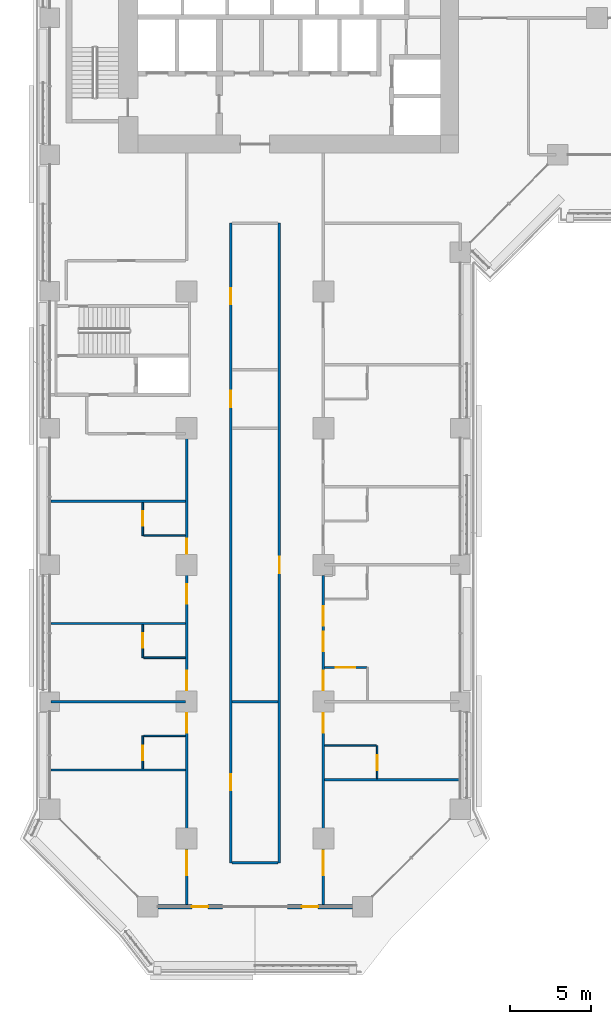
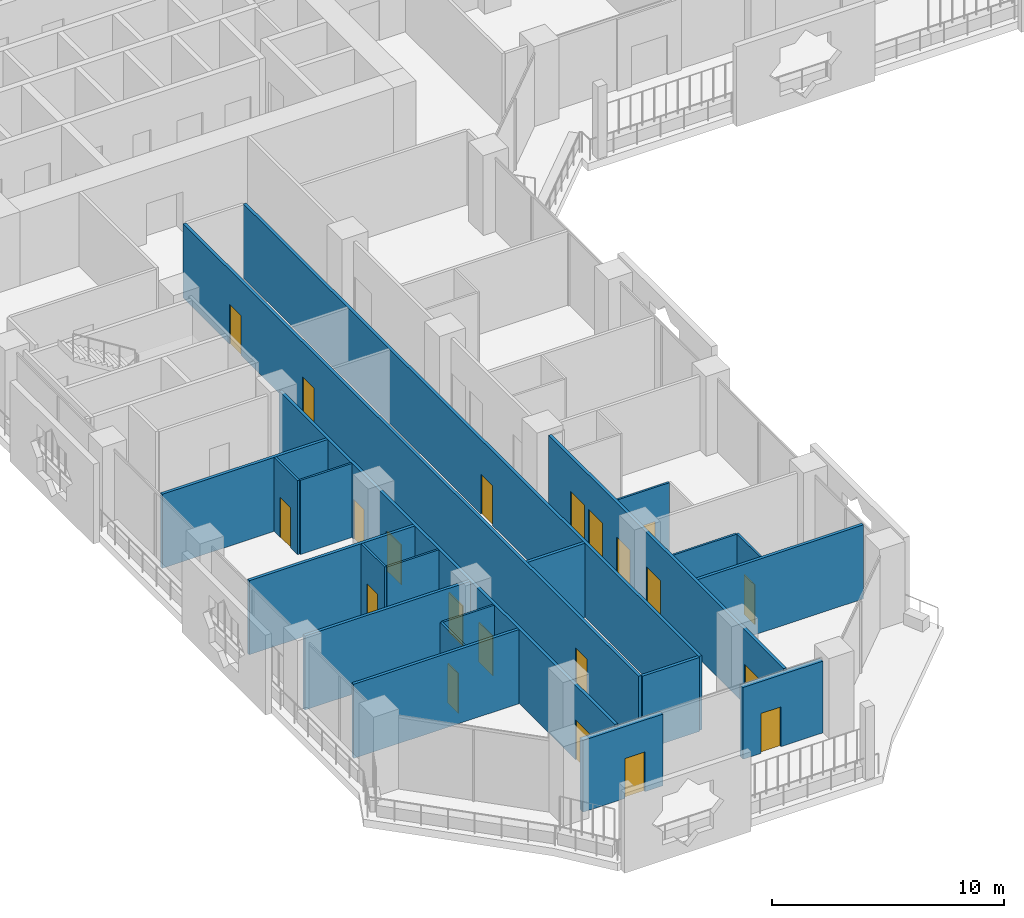
# One storey, part 13 of 28: 22 walls, 21 doors, 21 openings.
"""IFC4 building model written with IfcOpenShell, lengths in metres."""

from ifc_helpers import new_model, si_unit, direction, frame, frame_2d, origin, place, context, subcontext, project, spatial, rectangle, extrude, material, layer, layer_set, type_object, element, fill, save


model = new_model("IFC4")

# Units and contexts
model_context = context("Model", 3, precision=1e-05, world=origin(), true_north=direction((0.0, 1.0)))
body_context = subcontext(model_context, "Body", "Model", "MODEL_VIEW")
ifc_project = project(units=[si_unit("LENGTHUNIT", "METRE"), si_unit("AREAUNIT", "SQUARE_METRE"), si_unit("VOLUMEUNIT", "CUBIC_METRE"), si_unit("PLANEANGLEUNIT", "RADIAN"), si_unit("MASSUNIT", "GRAM", prefix="KILO")], contexts=[model_context])

# Site, building, storey
site_placement = place(None, origin())
site = spatial("IfcSite", under=ifc_project, at=site_placement, CompositionType="ELEMENT")
building_placement = place(site_placement, origin())
building = spatial("IfcBuilding", under=site, at=building_placement, Name="Kawkab Arch Medical Tower", CompositionType="ELEMENT")
storey_placement = place(building_placement, frame((0.0, 0.0, 68.60009765625)))
storey = spatial("IfcBuildingStorey", under=building, at=storey_placement, Name="L15", CompositionType="ELEMENT", Elevation=68.60009765625)

# Wall, opening, door
ifc_material_1 = material(Name="Bronze clad insulated wall panel")
ifc_layer_1 = layer(ifc_material_1, 0.25)
ifc_layer_set_1 = layer_set([ifc_layer_1], Name="Bronze clad insulated wall panel")
wall_type_1 = type_object("IfcWallType", Name="External wall bay 250", PredefinedType="SOLIDWALL", material=ifc_layer_set_1)
wall_1_placement = place(storey_placement, frame((6.625, -71.39990234375, 0.0), z_axis=(0.0, 0.0, 1.0), x_axis=(1.0, 0.0, 0.0)))
wall_1 = element("IfcWall", 1, at=wall_1_placement, inside=storey, type_object=wall_type_1, Name="External wall bay L15.R03.1.1", PredefinedType="SOLIDWALL", context=body_context, shape_type="SweptSolid", body=[
    extrude(rectangle(XDim=3.9833984375, YDim=0.25, at=frame_2d((1.99169921875, 0.0))), origin(), (0.0, 0.0, 1.0), 3.77978515625),
])
opening_1_placement = place(wall_1_placement, frame((2.091796875, 0.0, 0.0)))
opening_1 = element("IfcOpeningElement", 2, at=opening_1_placement, cuts=wall_1, Name="Opening W15A-701", PredefinedType="OPENING", context=body_context, shape_type="SweptSolid", body=[
    extrude(rectangle(XDim=1.0, YDim=2.10009765625, at=frame_2d((0.5, 1.050048828125))), frame((0.0, 0.135009765625, 0.0), z_axis=(0.0, -1.0, 0.0), x_axis=(1.0, 0.0, 0.0)), (0.0, 0.0, 1.0), 0.27001953125),
])
ifc_material_2 = material(Name="Bronze anodised aluminium door with tinted glass", Category="aluminium")
door_type_1 = type_object("IfcDoorType", Name="Single external door 1000 x 2100", OperationType="SINGLE_SWING_LEFT", PredefinedType="DOOR", material=ifc_material_2)
door_1_placement = place(opening_1_placement, origin())
door_1 = element("IfcDoor", 3, at=door_1_placement, inside=storey, type_object=door_type_1, Name="External door L15.R03.1.1", OperationType="SINGLE_SWING_LEFT", OverallHeight=2.10009765625, OverallWidth=1.0, PredefinedType="DOOR", context=body_context, shape_type="SweptSolid", body=[
    extrude(rectangle(XDim=1.0, YDim=2.10009765625, at=frame_2d((0.5, 1.050048828125))), frame((0.0, 0.02490234375, 0.0), z_axis=(0.0, -1.0, 0.0), x_axis=(1.0, 0.0, 0.0)), (0.0, 0.0, 1.0), 0.050048828125),
])
fill(opening_1, door_1)

wall_2_placement = place(storey_placement, frame((14.591552734375, -71.39990234375, 0.0), z_axis=(0.0, 0.0, 1.0), x_axis=(1.0, 0.0, 0.0)))
wall_2 = element("IfcWall", 4, at=wall_2_placement, inside=storey, type_object=wall_type_1, Name="External wall bay L15.R03.1.3", PredefinedType="SOLIDWALL", context=body_context, shape_type="SweptSolid", body=[
    extrude(rectangle(XDim=3.9833984375, YDim=0.25, at=frame_2d((1.99169921875, 0.0))), origin(), (0.0, 0.0, 1.0), 3.77978515625),
])
opening_2_placement = place(wall_2_placement, frame((0.8916015625, 0.0, 0.0)))
opening_2 = element("IfcOpeningElement", 5, at=opening_2_placement, cuts=wall_2, Name="Opening W15A-701", PredefinedType="OPENING", context=body_context, shape_type="SweptSolid", body=[
    extrude(rectangle(XDim=1.0, YDim=2.10009765625, at=frame_2d((0.5, 1.050048828125))), frame((0.0, 0.135009765625, 0.0), z_axis=(0.0, -1.0, 0.0), x_axis=(1.0, 0.0, 0.0)), (0.0, 0.0, 1.0), 0.27001953125),
])
door_2_placement = place(opening_2_placement, origin())
door_2 = element("IfcDoor", 6, at=door_2_placement, inside=storey, type_object=door_type_1, Name="External door L15.R03.1.3", OperationType="SINGLE_SWING_LEFT", OverallHeight=2.10009765625, OverallWidth=1.0, PredefinedType="DOOR", context=body_context, shape_type="SweptSolid", body=[
    extrude(rectangle(XDim=1.0, YDim=2.10009765625, at=frame_2d((0.5, 1.050048828125))), frame((0.0, 0.02490234375, 0.0), z_axis=(0.0, -1.0, 0.0), x_axis=(1.0, 0.0, 0.0)), (0.0, 0.0, 1.0), 0.050048828125),
])
fill(opening_2, door_2)

# Walls
ifc_material_3 = material(Name="Gypsum board partition on steel studs", Category="steel")
ifc_layer_2 = layer(ifc_material_3, 0.10009765625)
ifc_layer_set_2 = layer_set([ifc_layer_2], Name="Gypsum board partition on steel studs")
wall_type_2 = type_object("IfcWallType", Name="Partition 100", PredefinedType="PARTITIONING", material=ifc_layer_set_2)
wall_3_placement = place(storey_placement, frame((16.875, -61.5, 0.0), z_axis=(0.0, 0.0, 1.0), x_axis=(1.0, 0.0, 0.0)))
element("IfcWall", 7, at=wall_3_placement, inside=storey, type_object=wall_type_2, Name="Partition 100 w001", PredefinedType="PARTITIONING", context=body_context, shape_type="SweptSolid", body=[
    extrude(rectangle(XDim=3.175048828125, YDim=0.10009765625, at=frame_2d((1.58740234375, 0.0))), origin(), (0.0, 0.0, 1.0), 3.89990234375),
])
wall_4_placement = place(storey_placement, frame((5.75, -60.89990234375, 0.0), z_axis=(0.0, 0.0, 1.0), x_axis=(1.0, 0.0, 0.0)))
element("IfcWall", 8, at=wall_4_placement, inside=storey, type_object=wall_type_2, Name="Partition 100 w002", PredefinedType="PARTITIONING", context=body_context, shape_type="SweptSolid", body=[
    extrude(rectangle(XDim=2.574951171875, YDim=0.10009765625, at=frame_2d((1.28759765625, 0.0))), origin(), (0.0, 0.0, 1.0), 3.89990234375),
])

# Wall, opening, door
wall_5_placement = place(storey_placement, frame((16.875, -56.699951171875, 0.0), z_axis=(0.0, 0.0, 1.0), x_axis=(1.0, 0.0, 0.0)))
wall_5 = element("IfcWall", 9, at=wall_5_placement, inside=storey, type_object=wall_type_2, Name="Partition 100 w003", PredefinedType="PARTITIONING", context=body_context, shape_type="SweptSolid", body=[
    extrude(rectangle(XDim=2.574951171875, YDim=0.10009765625, at=frame_2d((1.28759765625, 0.0))), origin(), (0.0, 0.0, 1.0), 3.89990234375),
])
opening_3_placement = place(wall_5_placement, frame((0.675048828125, 0.0, 0.0)))
opening_3 = element("IfcOpeningElement", 10, at=opening_3_placement, cuts=wall_5, Name="Opening W15A-064", PredefinedType="OPENING", context=body_context, shape_type="SweptSolid", body=[
    extrude(rectangle(XDim=1.199951171875, YDim=2.10009765625, at=frame_2d((0.60009765625, 1.050048828125))), frame((0.0, 0.06005859375, 0.0), z_axis=(0.0, -1.0, 0.0), x_axis=(1.0, 0.0, 0.0)), (0.0, 0.0, 1.0), 0.1201171875),
])
ifc_material_4 = material(Name="Timber door leaf", Category="wood")
door_type_2 = type_object("IfcDoorType", Name="Single door 1200x2100", OperationType="NOTDEFINED", PredefinedType="DOOR", material=ifc_material_4)
door_3_placement = place(opening_3_placement, origin())
door_3 = element("IfcDoor", 11, at=door_3_placement, inside=storey, type_object=door_type_2, Name="Door W15A-064", OperationType="SINGLE_SWING_RIGHT", OverallHeight=2.10009765625, OverallWidth=1.199951171875, PredefinedType="DOOR", context=body_context, shape_type="SweptSolid", body=[
    extrude(rectangle(XDim=1.199951171875, YDim=2.10009765625, at=frame_2d((0.60009765625, 1.050048828125))), frame((0.0, 0.02490234375, 0.0), z_axis=(0.0, -1.0, 0.0), x_axis=(1.0, 0.0, 0.0)), (0.0, 0.0, 1.0), 0.050048828125),
])
fill(opening_3, door_3)

# Walls
wall_6_placement = place(storey_placement, frame((5.75, -56.10009765625, 0.0), z_axis=(0.0, 0.0, 1.0), x_axis=(1.0, 0.0, 0.0)))
element("IfcWall", 12, at=wall_6_placement, inside=storey, type_object=wall_type_2, Name="Partition 100 w004", PredefinedType="PARTITIONING", context=body_context, shape_type="SweptSolid", body=[
    extrude(rectangle(XDim=2.574951171875, YDim=0.10009765625, at=frame_2d((1.28759765625, 0.0))), origin(), (0.0, 0.0, 1.0), 3.89990234375),
])
wall_7_placement = place(storey_placement, frame((5.7509765625, -48.60009765625, 0.0), z_axis=(0.0, 0.0, 1.0), x_axis=(1.0, 0.0, 0.0)))
element("IfcWall", 13, at=wall_7_placement, inside=storey, type_object=wall_type_2, Name="Partition 100 w006", PredefinedType="PARTITIONING", context=body_context, shape_type="SweptSolid", body=[
    extrude(rectangle(XDim=2.573974609375, YDim=0.10009765625, at=frame_2d((1.287109375, 0.0))), origin(), (0.0, 0.0, 1.0), 3.89990234375),
])

# Wall, opening, door
wall_8_placement = place(storey_placement, frame((5.699951171875, -62.925048828125, 0.0), z_axis=(0.0, 0.0, 1.0), x_axis=(0.0, 1.0, 0.0)))
wall_8 = element("IfcWall", 14, at=wall_8_placement, inside=storey, type_object=wall_type_2, Name="Partition 100 w018", PredefinedType="PARTITIONING", context=body_context, shape_type="SweptSolid", body=[
    extrude(rectangle(XDim=2.025146484375, YDim=0.10009765625, at=frame_2d((1.0126953125, 0.0))), origin(), (0.0, 0.0, 1.0), 3.89990234375),
])
opening_4_placement = place(wall_8_placement, frame((0.52490234375, 0.0, 0.0)))
opening_4 = element("IfcOpeningElement", 15, at=opening_4_placement, cuts=wall_8, Name="Opening W15A-021", PredefinedType="OPENING", context=body_context, shape_type="SweptSolid", body=[
    extrude(rectangle(XDim=0.89990234375, YDim=2.10009765625, at=frame_2d((0.449951171875, 1.050048828125))), frame((0.0, 0.06005859375, 0.0), z_axis=(0.0, -1.0, 0.0), x_axis=(1.0, 0.0, 0.0)), (0.0, 0.0, 1.0), 0.1201171875),
])
ifc_material_5 = material(Name="Timber door leaf", Category="wood")
door_type_3 = type_object("IfcDoorType", Name="Single door 900x2100", OperationType="NOTDEFINED", PredefinedType="DOOR", material=ifc_material_5)
door_4_placement = place(opening_4_placement, origin())
door_4 = element("IfcDoor", 16, at=door_4_placement, inside=storey, type_object=door_type_3, Name="Door W15A-021", OperationType="SINGLE_SWING_LEFT", OverallHeight=2.10009765625, OverallWidth=0.89990234375, PredefinedType="DOOR", context=body_context, shape_type="SweptSolid", body=[
    extrude(rectangle(XDim=0.89990234375, YDim=2.10009765625, at=frame_2d((0.449951171875, 1.050048828125))), frame((0.0, 0.02490234375, 0.0), z_axis=(0.0, -1.0, 0.0), x_axis=(1.0, 0.0, 0.0)), (0.0, 0.0, 1.0), 0.050048828125),
])
fill(opening_4, door_4)

wall_9_placement = place(storey_placement, frame((5.699951171875, -56.10009765625, 0.0), z_axis=(0.0, 0.0, 1.0), x_axis=(0.0, 1.0, 0.0)))
wall_9 = element("IfcWall", 17, at=wall_9_placement, inside=storey, type_object=wall_type_2, Name="Partition 100 w019", PredefinedType="PARTITIONING", context=body_context, shape_type="SweptSolid", body=[
    extrude(rectangle(XDim=2.025146484375, YDim=0.10009765625, at=frame_2d((1.0126953125, 0.0))), origin(), (0.0, 0.0, 1.0), 3.89990234375),
])
opening_5_placement = place(wall_9_placement, frame((0.60009765625, 0.0, 0.0)))
opening_5 = element("IfcOpeningElement", 18, at=opening_5_placement, cuts=wall_9, Name="Opening W15A-020", PredefinedType="OPENING", context=body_context, shape_type="SweptSolid", body=[
    extrude(rectangle(XDim=0.89990234375, YDim=2.10009765625, at=frame_2d((0.449951171875, 1.050048828125))), frame((0.0, 0.06005859375, 0.0), z_axis=(0.0, -1.0, 0.0), x_axis=(1.0, 0.0, 0.0)), (0.0, 0.0, 1.0), 0.1201171875),
])
door_5_placement = place(opening_5_placement, origin())
door_5 = element("IfcDoor", 19, at=door_5_placement, inside=storey, type_object=door_type_3, Name="Door W15A-020", OperationType="SINGLE_SWING_LEFT", OverallHeight=2.10009765625, OverallWidth=0.89990234375, PredefinedType="DOOR", context=body_context, shape_type="SweptSolid", body=[
    extrude(rectangle(XDim=0.89990234375, YDim=2.10009765625, at=frame_2d((0.449951171875, 1.050048828125))), frame((0.0, 0.02490234375, 0.0), z_axis=(0.0, -1.0, 0.0), x_axis=(1.0, 0.0, 0.0)), (0.0, 0.0, 1.0), 0.050048828125),
])
fill(opening_5, door_5)

wall_10_placement = place(storey_placement, frame((5.699951171875, -48.597900390625, 0.0), z_axis=(0.0, 0.0, 1.0), x_axis=(0.0, 1.0, 0.0)))
wall_10 = element("IfcWall", 20, at=wall_10_placement, inside=storey, type_object=wall_type_2, Name="Partition 100 w020", PredefinedType="PARTITIONING", context=body_context, shape_type="SweptSolid", body=[
    extrude(rectangle(XDim=2.02294921875, YDim=0.10009765625, at=frame_2d((1.011474609375, 0.0))), origin(), (0.0, 0.0, 1.0), 3.89990234375),
])
opening_6_placement = place(wall_10_placement, frame((0.59912109375, 0.0, 0.0)))
opening_6 = element("IfcOpeningElement", 21, at=opening_6_placement, cuts=wall_10, Name="Opening W15A-019", PredefinedType="OPENING", context=body_context, shape_type="SweptSolid", body=[
    extrude(rectangle(XDim=0.89990234375, YDim=2.10009765625, at=frame_2d((0.449951171875, 1.050048828125))), frame((0.0, 0.06005859375, 0.0), z_axis=(0.0, -1.0, 0.0), x_axis=(1.0, 0.0, 0.0)), (0.0, 0.0, 1.0), 0.1201171875),
])
door_6_placement = place(opening_6_placement, origin())
door_6 = element("IfcDoor", 22, at=door_6_placement, inside=storey, type_object=door_type_3, Name="Door W15A-019", OperationType="SINGLE_SWING_LEFT", OverallHeight=2.10009765625, OverallWidth=0.89990234375, PredefinedType="DOOR", context=body_context, shape_type="SweptSolid", body=[
    extrude(rectangle(XDim=0.89990234375, YDim=2.10009765625, at=frame_2d((0.449951171875, 1.050048828125))), frame((0.0, 0.02490234375, 0.0), z_axis=(0.0, -1.0, 0.0), x_axis=(1.0, 0.0, 0.0)), (0.0, 0.0, 1.0), 0.050048828125),
])
fill(opening_6, door_6)

wall_11_placement = place(storey_placement, frame((20.10009765625, -63.52490234375, 0.0), z_axis=(0.0, 0.0, 1.0), x_axis=(0.0, 1.0, 0.0)))
wall_11 = element("IfcWall", 23, at=wall_11_placement, inside=storey, type_object=wall_type_2, Name="Partition 100 w025", PredefinedType="PARTITIONING", context=body_context, shape_type="SweptSolid", body=[
    extrude(rectangle(XDim=2.02490234375, YDim=0.10009765625, at=frame_2d((1.012451171875, 0.0))), origin(), (0.0, 0.0, 1.0), 3.89990234375),
])
opening_7_placement = place(wall_11_placement, frame((0.52490234375, 0.0, 0.0)))
opening_7 = element("IfcOpeningElement", 24, at=opening_7_placement, cuts=wall_11, Name="Opening W15A-025", PredefinedType="OPENING", context=body_context, shape_type="SweptSolid", body=[
    extrude(rectangle(XDim=0.89990234375, YDim=2.10009765625, at=frame_2d((0.449951171875, 1.050048828125))), frame((0.0, 0.06005859375, 0.0), z_axis=(0.0, -1.0, 0.0), x_axis=(1.0, 0.0, 0.0)), (0.0, 0.0, 1.0), 0.1201171875),
])
door_7_placement = place(opening_7_placement, origin())
door_7 = element("IfcDoor", 25, at=door_7_placement, inside=storey, type_object=door_type_3, Name="Door W15A-025", OperationType="SINGLE_SWING_RIGHT", OverallHeight=2.10009765625, OverallWidth=0.89990234375, PredefinedType="DOOR", context=body_context, shape_type="SweptSolid", body=[
    extrude(rectangle(XDim=0.89990234375, YDim=2.10009765625, at=frame_2d((0.449951171875, 1.050048828125))), frame((0.0, 0.02490234375, 0.0), z_axis=(0.0, -1.0, 0.0), x_axis=(1.0, 0.0, 0.0)), (0.0, 0.0, 1.0), 0.050048828125),
])
fill(opening_7, door_7)

# Walls
ifc_material_6 = material(Name="Gypsum board partition on steel studs, mineral wool", Category="steel")
ifc_layer_3 = layer(ifc_material_6, 0.14990234375)
ifc_layer_set_3 = layer_set([ifc_layer_3], Name="Gypsum board partition on steel studs, mineral wool")
wall_type_3 = type_object("IfcWallType", Name="Partition 150", PredefinedType="PARTITIONING", material=ifc_layer_set_3)
wall_12_placement = place(storey_placement, frame((11.175048828125, -68.699951171875, 0.0), z_axis=(0.0, 0.0, 1.0), x_axis=(1.0, 0.0, 0.0)))
element("IfcWall", 26, at=wall_12_placement, inside=storey, type_object=wall_type_3, Name="Partition 150 w036", PredefinedType="PARTITIONING", context=body_context, shape_type="SweptSolid", body=[
    extrude(rectangle(XDim=2.849853515625, YDim=0.14990234375, at=frame_2d((1.4248046875, 0.0))), origin(), (0.0, 0.0, 1.0), 3.89990234375),
])
wall_13_placement = place(storey_placement, frame((16.875, -63.60009765625, 0.0), z_axis=(0.0, 0.0, 1.0), x_axis=(1.0, 0.0, 0.0)))
element("IfcWall", 27, at=wall_13_placement, inside=storey, type_object=wall_type_3, Name="Partition 150 w037", PredefinedType="PARTITIONING", context=body_context, shape_type="SweptSolid", body=[
    extrude(rectangle(XDim=8.2451171875, YDim=0.14990234375, at=frame_2d((4.12255859375, 0.0))), origin(), (0.0, 0.0, 1.0), 3.89990234375),
])
for number, where, z_axis, x_axis, name in (
    (28, (0.080078125, -63.0, 0.0), (0.0, 0.0, 1.0), (1.0, 0.0, 0.0), "Partition 150 w038"),
    (29, (0.080078125, -58.800048828125, 0.0), (0.0, 0.0, 1.0), (1.0, 0.0, 0.0), "Partition 150 w039"),
):
    element("IfcWall", number, at=place(storey_placement, frame(where, z_axis=z_axis, x_axis=x_axis)), inside=storey, type_object=wall_type_3, Name=name, PredefinedType="PARTITIONING", context=body_context, shape_type="SweptSolid", body=[
        extrude(rectangle(XDim=8.244873046875, YDim=0.14990234375, at=frame_2d((4.12255859375, 0.0))), origin(), (0.0, 0.0, 1.0), 3.89990234375),
    ])
wall_14_placement = place(storey_placement, frame((11.175048828125, -58.800048828125, 0.0), z_axis=(0.0, 0.0, 1.0), x_axis=(1.0, 0.0, 0.0)))
element("IfcWall", 30, at=wall_14_placement, inside=storey, type_object=wall_type_3, Name="Partition 150 w040", PredefinedType="PARTITIONING", context=body_context, shape_type="SweptSolid", body=[
    extrude(rectangle(XDim=2.849853515625, YDim=0.14990234375, at=frame_2d((1.4248046875, 0.0))), origin(), (0.0, 0.0, 1.0), 3.89990234375),
])
for number, where, z_axis, x_axis, name in (
    (31, (0.080078125, -54.0, 0.0), (0.0, 0.0, 1.0), (1.0, 0.0, 0.0), "Partition 150 w042"),
    (32, (0.080078125, -46.5, 0.0), (0.0, 0.0, 1.0), (1.0, 0.0, 0.0), "Partition 150 w045"),
):
    element("IfcWall", number, at=place(storey_placement, frame(where, z_axis=z_axis, x_axis=x_axis)), inside=storey, type_object=wall_type_3, Name=name, PredefinedType="PARTITIONING", context=body_context, shape_type="SweptSolid", body=[
        extrude(rectangle(XDim=8.244873046875, YDim=0.14990234375, at=frame_2d((4.12255859375, 0.0))), origin(), (0.0, 0.0, 1.0), 3.89990234375),
    ])

# Wall, openings, doors
wall_15_placement = place(storey_placement, frame((8.39990234375, -71.320068359375, 0.0), z_axis=(0.0, 0.0, 1.0), x_axis=(0.0, 1.0, 0.0)))
wall_15 = element("IfcWall", 33, at=wall_15_placement, inside=storey, type_object=wall_type_3, Name="Partition 150 w066", PredefinedType="PARTITIONING", context=body_context, shape_type="SweptSolid", body=[
    extrude(rectangle(XDim=28.969970703125, YDim=0.14990234375, at=frame_2d((14.48486328125, 0.0))), origin(), (0.0, 0.0, 1.0), 3.89990234375),
])
opening_8_placement = place(wall_15_placement, frame((18.52001953125, 0.0, 0.0)))
opening_8 = element("IfcOpeningElement", 34, at=opening_8_placement, cuts=wall_15, Name="Opening W15A-056", PredefinedType="OPENING", context=body_context, shape_type="SweptSolid", body=[
    extrude(rectangle(XDim=1.199951171875, YDim=2.10009765625, at=frame_2d((0.60009765625, 1.050048828125))), frame((0.0, 0.0849609375, 0.0), z_axis=(0.0, -1.0, 0.0), x_axis=(1.0, 0.0, 0.0)), (0.0, 0.0, 1.0), 0.169921875),
])
opening_9_placement = place(wall_15_placement, frame((21.6201171875, 0.0, 0.0)))
opening_9 = element("IfcOpeningElement", 35, at=opening_9_placement, cuts=wall_15, Name="Opening W15A-028", PredefinedType="OPENING", context=body_context, shape_type="SweptSolid", body=[
    extrude(rectangle(XDim=0.89990234375, YDim=2.10009765625, at=frame_2d((0.449951171875, 1.050048828125))), frame((0.0, 0.0849609375, 0.0), z_axis=(0.0, -1.0, 0.0), x_axis=(1.0, 0.0, 0.0)), (0.0, 0.0, 1.0), 0.169921875),
])
opening_10_placement = place(wall_15_placement, frame((13.219970703125, 0.0, 0.0)))
opening_10 = element("IfcOpeningElement", 36, at=opening_10_placement, cuts=wall_15, Name="Opening W15A-057", PredefinedType="OPENING", context=body_context, shape_type="SweptSolid", body=[
    extrude(rectangle(XDim=1.199951171875, YDim=2.10009765625, at=frame_2d((0.60009765625, 1.050048828125))), frame((0.0, 0.0849609375, 0.0), z_axis=(0.0, -1.0, 0.0), x_axis=(1.0, 0.0, 0.0)), (0.0, 0.0, 1.0), 0.169921875),
])
opening_11_placement = place(wall_15_placement, frame((10.6201171875, 0.0, 0.0)))
opening_11 = element("IfcOpeningElement", 37, at=opening_11_placement, cuts=wall_15, Name="Opening W15A-058", PredefinedType="OPENING", context=body_context, shape_type="SweptSolid", body=[
    extrude(rectangle(XDim=1.199951171875, YDim=2.10009765625, at=frame_2d((0.60009765625, 1.050048828125))), frame((0.0, 0.0849609375, 0.0), z_axis=(0.0, -1.0, 0.0), x_axis=(1.0, 0.0, 0.0)), (0.0, 0.0, 1.0), 0.169921875),
])
opening_12_placement = place(wall_15_placement, frame((1.8701171875, 0.0, 0.0)))
opening_12 = element("IfcOpeningElement", 38, at=opening_12_placement, cuts=wall_15, Name="Opening W15A-006", PredefinedType="OPENING", context=body_context, shape_type="SweptSolid", body=[
    extrude(rectangle(XDim=1.5, YDim=2.10009765625, at=frame_2d((0.75, 1.050048828125))), frame((0.0, 0.0849609375, 0.0), z_axis=(0.0, -1.0, 0.0), x_axis=(1.0, 0.0, 0.0)), (0.0, 0.0, 1.0), 0.169921875),
])
ifc_material_7 = material(Name="Hollow metal door leaf")
door_type_4 = type_object("IfcDoorType", Name="Double door 1500x2100 FD30S", OperationType="NOTDEFINED", PredefinedType="DOOR", material=ifc_material_7)
door_8_placement = place(opening_12_placement, origin())
door_8 = element("IfcDoor", 39, at=door_8_placement, inside=storey, type_object=door_type_4, Name="Door W15A-006", OperationType="DOUBLE_DOOR_SINGLE_SWING", OverallHeight=2.10009765625, OverallWidth=1.5, PredefinedType="DOOR", context=body_context, shape_type="SweptSolid", body=[
    extrude(rectangle(XDim=1.5, YDim=2.10009765625, at=frame_2d((0.75, 1.050048828125))), frame((0.0, 0.02490234375, 0.0), z_axis=(0.0, -1.0, 0.0), x_axis=(1.0, 0.0, 0.0)), (0.0, 0.0, 1.0), 0.050048828125),
])
fill(opening_12, door_8)
ifc_material_8 = material(Name="Hollow metal door leaf")
door_type_5 = type_object("IfcDoorType", Name="Single door 1200x2100 FD30S", OperationType="NOTDEFINED", PredefinedType="DOOR", material=ifc_material_8)
door_9_placement = place(opening_8_placement, origin())
door_9 = element("IfcDoor", 40, at=door_9_placement, inside=storey, type_object=door_type_5, Name="Door W15A-056", OperationType="SINGLE_SWING_RIGHT", OverallHeight=2.10009765625, OverallWidth=1.199951171875, PredefinedType="DOOR", context=body_context, shape_type="SweptSolid", body=[
    extrude(rectangle(XDim=1.199951171875, YDim=2.10009765625, at=frame_2d((0.60009765625, 1.050048828125))), frame((0.0, 0.02490234375, 0.0), z_axis=(0.0, -1.0, 0.0), x_axis=(1.0, 0.0, 0.0)), (0.0, 0.0, 1.0), 0.050048828125),
])
fill(opening_8, door_9)
door_10_placement = place(opening_10_placement, origin())
door_10 = element("IfcDoor", 41, at=door_10_placement, inside=storey, type_object=door_type_5, Name="Door W15A-057", OperationType="SINGLE_SWING_LEFT", OverallHeight=2.10009765625, OverallWidth=1.199951171875, PredefinedType="DOOR", context=body_context, shape_type="SweptSolid", body=[
    extrude(rectangle(XDim=1.199951171875, YDim=2.10009765625, at=frame_2d((0.60009765625, 1.050048828125))), frame((0.0, 0.02490234375, 0.0), z_axis=(0.0, -1.0, 0.0), x_axis=(1.0, 0.0, 0.0)), (0.0, 0.0, 1.0), 0.050048828125),
])
fill(opening_10, door_10)
door_11_placement = place(opening_11_placement, origin())
door_11 = element("IfcDoor", 42, at=door_11_placement, inside=storey, type_object=door_type_5, Name="Door W15A-058", OperationType="SINGLE_SWING_LEFT", OverallHeight=2.10009765625, OverallWidth=1.199951171875, PredefinedType="DOOR", context=body_context, shape_type="SweptSolid", body=[
    extrude(rectangle(XDim=1.199951171875, YDim=2.10009765625, at=frame_2d((0.60009765625, 1.050048828125))), frame((0.0, 0.02490234375, 0.0), z_axis=(0.0, -1.0, 0.0), x_axis=(1.0, 0.0, 0.0)), (0.0, 0.0, 1.0), 0.050048828125),
])
fill(opening_11, door_11)
ifc_material_9 = material(Name="Hollow metal door leaf")
door_type_6 = type_object("IfcDoorType", Name="Single door 900x2100 FD30S", OperationType="NOTDEFINED", PredefinedType="DOOR", material=ifc_material_9)
door_12_placement = place(opening_9_placement, origin())
door_12 = element("IfcDoor", 43, at=door_12_placement, inside=storey, type_object=door_type_6, Name="Door W15A-028", OperationType="SINGLE_SWING_RIGHT", OverallHeight=2.10009765625, OverallWidth=0.89990234375, PredefinedType="DOOR", context=body_context, shape_type="SweptSolid", body=[
    extrude(rectangle(XDim=0.89990234375, YDim=2.10009765625, at=frame_2d((0.449951171875, 1.050048828125))), frame((0.0, 0.02490234375, 0.0), z_axis=(0.0, -1.0, 0.0), x_axis=(1.0, 0.0, 0.0)), (0.0, 0.0, 1.0), 0.050048828125),
])
fill(opening_9, door_12)

wall_16_placement = place(storey_placement, frame((11.10009765625, -68.699951171875, 0.0), z_axis=(0.0, 0.0, 1.0), x_axis=(0.0, 1.0, 0.0)))
wall_16 = element("IfcWall", 44, at=wall_16_placement, inside=storey, type_object=wall_type_3, Name="Partition 150 w068", PredefinedType="PARTITIONING", context=body_context, shape_type="SweptSolid", body=[
    extrude(rectangle(XDim=39.300048828125, YDim=0.14990234375, at=frame_2d((19.64990234375, 0.0))), origin(), (0.0, 0.0, 1.0), 3.89990234375),
])
opening_13_placement = place(wall_16_placement, frame((34.300048828125, 0.0, 0.0)))
opening_13 = element("IfcOpeningElement", 45, at=opening_13_placement, cuts=wall_16, Name="Opening W15A-039", PredefinedType="OPENING", context=body_context, shape_type="SweptSolid", body=[
    extrude(rectangle(XDim=1.0, YDim=2.10009765625, at=frame_2d((0.5, 1.050048828125))), frame((0.0, 0.0849609375, 0.0), z_axis=(0.0, -1.0, 0.0), x_axis=(1.0, 0.0, 0.0)), (0.0, 0.0, 1.0), 0.169921875),
])
opening_14_placement = place(wall_16_placement, frame((28.0, 0.0, 0.0)))
opening_14 = element("IfcOpeningElement", 46, at=opening_14_placement, cuts=wall_16, Name="Opening W15A-040", PredefinedType="OPENING", context=body_context, shape_type="SweptSolid", body=[
    extrude(rectangle(XDim=1.0, YDim=2.10009765625, at=frame_2d((0.5, 1.050048828125))), frame((0.0, 0.0849609375, 0.0), z_axis=(0.0, -1.0, 0.0), x_axis=(1.0, 0.0, 0.0)), (0.0, 0.0, 1.0), 0.169921875),
])
opening_15_placement = place(wall_16_placement, frame((4.449951171875, 0.0, 0.0)))
opening_15 = element("IfcOpeningElement", 47, at=opening_15_placement, cuts=wall_16, Name="Opening W15A-042", PredefinedType="OPENING", context=body_context, shape_type="SweptSolid", body=[
    extrude(rectangle(XDim=1.0, YDim=2.10009765625, at=frame_2d((0.5, 1.050048828125))), frame((0.0, 0.0849609375, 0.0), z_axis=(0.0, -1.0, 0.0), x_axis=(1.0, 0.0, 0.0)), (0.0, 0.0, 1.0), 0.169921875),
])
ifc_material_10 = material(Name="Hollow metal door leaf")
door_type_7 = type_object("IfcDoorType", Name="Single door 1000x2100 FD30S", OperationType="NOTDEFINED", PredefinedType="DOOR", material=ifc_material_10)
door_13_placement = place(opening_13_placement, origin())
door_13 = element("IfcDoor", 48, at=door_13_placement, inside=storey, type_object=door_type_7, Name="Door W15A-039", OperationType="SINGLE_SWING_LEFT", OverallHeight=2.10009765625, OverallWidth=1.0, PredefinedType="DOOR", context=body_context, shape_type="SweptSolid", body=[
    extrude(rectangle(XDim=1.0, YDim=2.10009765625, at=frame_2d((0.5, 1.050048828125))), frame((0.0, 0.02490234375, 0.0), z_axis=(0.0, -1.0, 0.0), x_axis=(1.0, 0.0, 0.0)), (0.0, 0.0, 1.0), 0.050048828125),
])
fill(opening_13, door_13)
door_14_placement = place(opening_14_placement, origin())
door_14 = element("IfcDoor", 49, at=door_14_placement, inside=storey, type_object=door_type_7, Name="Door W15A-040", OperationType="SINGLE_SWING_LEFT", OverallHeight=2.10009765625, OverallWidth=1.0, PredefinedType="DOOR", context=body_context, shape_type="SweptSolid", body=[
    extrude(rectangle(XDim=1.0, YDim=2.10009765625, at=frame_2d((0.5, 1.050048828125))), frame((0.0, 0.02490234375, 0.0), z_axis=(0.0, -1.0, 0.0), x_axis=(1.0, 0.0, 0.0)), (0.0, 0.0, 1.0), 0.050048828125),
])
fill(opening_14, door_14)
door_15_placement = place(opening_15_placement, origin())
door_15 = element("IfcDoor", 50, at=door_15_placement, inside=storey, type_object=door_type_7, Name="Door W15A-042", OperationType="SINGLE_SWING_RIGHT", OverallHeight=2.10009765625, OverallWidth=1.0, PredefinedType="DOOR", context=body_context, shape_type="SweptSolid", body=[
    extrude(rectangle(XDim=1.0, YDim=2.10009765625, at=frame_2d((0.5, 1.050048828125))), frame((0.0, 0.02490234375, 0.0), z_axis=(0.0, -1.0, 0.0), x_axis=(1.0, 0.0, 0.0)), (0.0, 0.0, 1.0), 0.050048828125),
])
fill(opening_15, door_15)

# Wall, opening, door
wall_17_placement = place(storey_placement, frame((14.10009765625, -68.699951171875, 0.0), z_axis=(0.0, 0.0, 1.0), x_axis=(0.0, 1.0, 0.0)))
wall_17 = element("IfcWall", 51, at=wall_17_placement, inside=storey, type_object=wall_type_3, Name="Partition 150 w069", PredefinedType="PARTITIONING", context=body_context, shape_type="SweptSolid", body=[
    extrude(rectangle(XDim=39.300048828125, YDim=0.14990234375, at=frame_2d((19.64990234375, 0.0))), origin(), (0.0, 0.0, 1.0), 3.89990234375),
])
opening_16_placement = place(wall_17_placement, frame((17.800048828125, 0.0, 0.0)))
opening_16 = element("IfcOpeningElement", 52, at=opening_16_placement, cuts=wall_17, Name="Opening W15A-041", PredefinedType="OPENING", context=body_context, shape_type="SweptSolid", body=[
    extrude(rectangle(XDim=1.0, YDim=2.10009765625, at=frame_2d((0.5, 1.050048828125))), frame((0.0, 0.0849609375, 0.0), z_axis=(0.0, -1.0, 0.0), x_axis=(1.0, 0.0, 0.0)), (0.0, 0.0, 1.0), 0.169921875),
])
door_16_placement = place(opening_16_placement, origin())
door_16 = element("IfcDoor", 53, at=door_16_placement, inside=storey, type_object=door_type_7, Name="Door W15A-041", OperationType="SINGLE_SWING_LEFT", OverallHeight=2.10009765625, OverallWidth=1.0, PredefinedType="DOOR", context=body_context, shape_type="SweptSolid", body=[
    extrude(rectangle(XDim=1.0, YDim=2.10009765625, at=frame_2d((0.5, 1.050048828125))), frame((0.0, 0.02490234375, 0.0), z_axis=(0.0, -1.0, 0.0), x_axis=(1.0, 0.0, 0.0)), (0.0, 0.0, 1.0), 0.050048828125),
])
fill(opening_16, door_16)

# Wall, openings, doors
wall_18_placement = place(storey_placement, frame((16.800048828125, -71.320068359375, 0.0), z_axis=(0.0, 0.0, 1.0), x_axis=(0.0, 1.0, 0.0)))
wall_18 = element("IfcWall", 54, at=wall_18_placement, inside=storey, type_object=wall_type_3, Name="Partition 150 w070", PredefinedType="PARTITIONING", context=body_context, shape_type="SweptSolid", body=[
    extrude(rectangle(XDim=20.26806640625, YDim=0.14990234375, at=frame_2d((10.134033203125, 0.0))), origin(), (0.0, 0.0, 1.0), 3.89990234375),
])
opening_17_placement = place(wall_18_placement, frame((17.169921875, 0.0, 0.0)))
opening_17 = element("IfcOpeningElement", 55, at=opening_17_placement, cuts=wall_18, Name="Opening W15A-061", PredefinedType="OPENING", context=body_context, shape_type="SweptSolid", body=[
    extrude(rectangle(XDim=1.199951171875, YDim=2.10009765625, at=frame_2d((0.60009765625, 1.050048828125))), frame((0.0, 0.0849609375, 0.0), z_axis=(0.0, -1.0, 0.0), x_axis=(1.0, 0.0, 0.0)), (0.0, 0.0, 1.0), 0.169921875),
])
opening_18_placement = place(wall_18_placement, frame((15.6201171875, 0.0, 0.0)))
opening_18 = element("IfcOpeningElement", 56, at=opening_18_placement, cuts=wall_18, Name="Opening W15A-062", PredefinedType="OPENING", context=body_context, shape_type="SweptSolid", body=[
    extrude(rectangle(XDim=1.199951171875, YDim=2.10009765625, at=frame_2d((0.60009765625, 1.050048828125))), frame((0.0, 0.0849609375, 0.0), z_axis=(0.0, -1.0, 0.0), x_axis=(1.0, 0.0, 0.0)), (0.0, 0.0, 1.0), 0.169921875),
])
opening_19_placement = place(wall_18_placement, frame((13.219970703125, 0.0, 0.0)))
opening_19 = element("IfcOpeningElement", 57, at=opening_19_placement, cuts=wall_18, Name="Opening W15A-063", PredefinedType="OPENING", context=body_context, shape_type="SweptSolid", body=[
    extrude(rectangle(XDim=1.199951171875, YDim=2.10009765625, at=frame_2d((0.60009765625, 1.050048828125))), frame((0.0, 0.0849609375, 0.0), z_axis=(0.0, -1.0, 0.0), x_axis=(1.0, 0.0, 0.0)), (0.0, 0.0, 1.0), 0.169921875),
])
opening_20_placement = place(wall_18_placement, frame((10.6201171875, 0.0, 0.0)))
opening_20 = element("IfcOpeningElement", 58, at=opening_20_placement, cuts=wall_18, Name="Opening W15A-065", PredefinedType="OPENING", context=body_context, shape_type="SweptSolid", body=[
    extrude(rectangle(XDim=1.199951171875, YDim=2.10009765625, at=frame_2d((0.60009765625, 1.050048828125))), frame((0.0, 0.0849609375, 0.0), z_axis=(0.0, -1.0, 0.0), x_axis=(1.0, 0.0, 0.0)), (0.0, 0.0, 1.0), 0.169921875),
])
opening_21_placement = place(wall_18_placement, frame((1.8701171875, 0.0, 0.0)))
opening_21 = element("IfcOpeningElement", 59, at=opening_21_placement, cuts=wall_18, Name="Opening W15A-008", PredefinedType="OPENING", context=body_context, shape_type="SweptSolid", body=[
    extrude(rectangle(XDim=1.5, YDim=2.10009765625, at=frame_2d((0.75, 1.050048828125))), frame((0.0, 0.0849609375, 0.0), z_axis=(0.0, -1.0, 0.0), x_axis=(1.0, 0.0, 0.0)), (0.0, 0.0, 1.0), 0.169921875),
])
door_17_placement = place(opening_21_placement, origin())
door_17 = element("IfcDoor", 60, at=door_17_placement, inside=storey, type_object=door_type_4, Name="Door W15A-008", OperationType="DOUBLE_DOOR_SINGLE_SWING", OverallHeight=2.10009765625, OverallWidth=1.5, PredefinedType="DOOR", context=body_context, shape_type="SweptSolid", body=[
    extrude(rectangle(XDim=1.5, YDim=2.10009765625, at=frame_2d((0.75, 1.050048828125))), frame((0.0, 0.02490234375, 0.0), z_axis=(0.0, -1.0, 0.0), x_axis=(1.0, 0.0, 0.0)), (0.0, 0.0, 1.0), 0.050048828125),
])
fill(opening_21, door_17)
door_18_placement = place(opening_17_placement, origin())
door_18 = element("IfcDoor", 61, at=door_18_placement, inside=storey, type_object=door_type_5, Name="Door W15A-061", OperationType="SINGLE_SWING_LEFT", OverallHeight=2.10009765625, OverallWidth=1.199951171875, PredefinedType="DOOR", context=body_context, shape_type="SweptSolid", body=[
    extrude(rectangle(XDim=1.199951171875, YDim=2.10009765625, at=frame_2d((0.60009765625, 1.050048828125))), frame((0.0, 0.02490234375, 0.0), z_axis=(0.0, -1.0, 0.0), x_axis=(1.0, 0.0, 0.0)), (0.0, 0.0, 1.0), 0.050048828125),
])
fill(opening_17, door_18)
door_19_placement = place(opening_18_placement, origin())
door_19 = element("IfcDoor", 62, at=door_19_placement, inside=storey, type_object=door_type_5, Name="Door W15A-062", OperationType="SINGLE_SWING_LEFT", OverallHeight=2.10009765625, OverallWidth=1.199951171875, PredefinedType="DOOR", context=body_context, shape_type="SweptSolid", body=[
    extrude(rectangle(XDim=1.199951171875, YDim=2.10009765625, at=frame_2d((0.60009765625, 1.050048828125))), frame((0.0, 0.02490234375, 0.0), z_axis=(0.0, -1.0, 0.0), x_axis=(1.0, 0.0, 0.0)), (0.0, 0.0, 1.0), 0.050048828125),
])
fill(opening_18, door_19)
door_20_placement = place(opening_19_placement, origin())
door_20 = element("IfcDoor", 63, at=door_20_placement, inside=storey, type_object=door_type_5, Name="Door W15A-063", OperationType="SINGLE_SWING_LEFT", OverallHeight=2.10009765625, OverallWidth=1.199951171875, PredefinedType="DOOR", context=body_context, shape_type="SweptSolid", body=[
    extrude(rectangle(XDim=1.199951171875, YDim=2.10009765625, at=frame_2d((0.60009765625, 1.050048828125))), frame((0.0, 0.02490234375, 0.0), z_axis=(0.0, -1.0, 0.0), x_axis=(1.0, 0.0, 0.0)), (0.0, 0.0, 1.0), 0.050048828125),
])
fill(opening_19, door_20)
door_21_placement = place(opening_20_placement, origin())
door_21 = element("IfcDoor", 64, at=door_21_placement, inside=storey, type_object=door_type_5, Name="Door W15A-065", OperationType="SINGLE_SWING_LEFT", OverallHeight=2.10009765625, OverallWidth=1.199951171875, PredefinedType="DOOR", context=body_context, shape_type="SweptSolid", body=[
    extrude(rectangle(XDim=1.199951171875, YDim=2.10009765625, at=frame_2d((0.60009765625, 1.050048828125))), frame((0.0, 0.02490234375, 0.0), z_axis=(0.0, -1.0, 0.0), x_axis=(1.0, 0.0, 0.0)), (0.0, 0.0, 1.0), 0.050048828125),
])
fill(opening_20, door_21)

save(model, "model.ifc")
